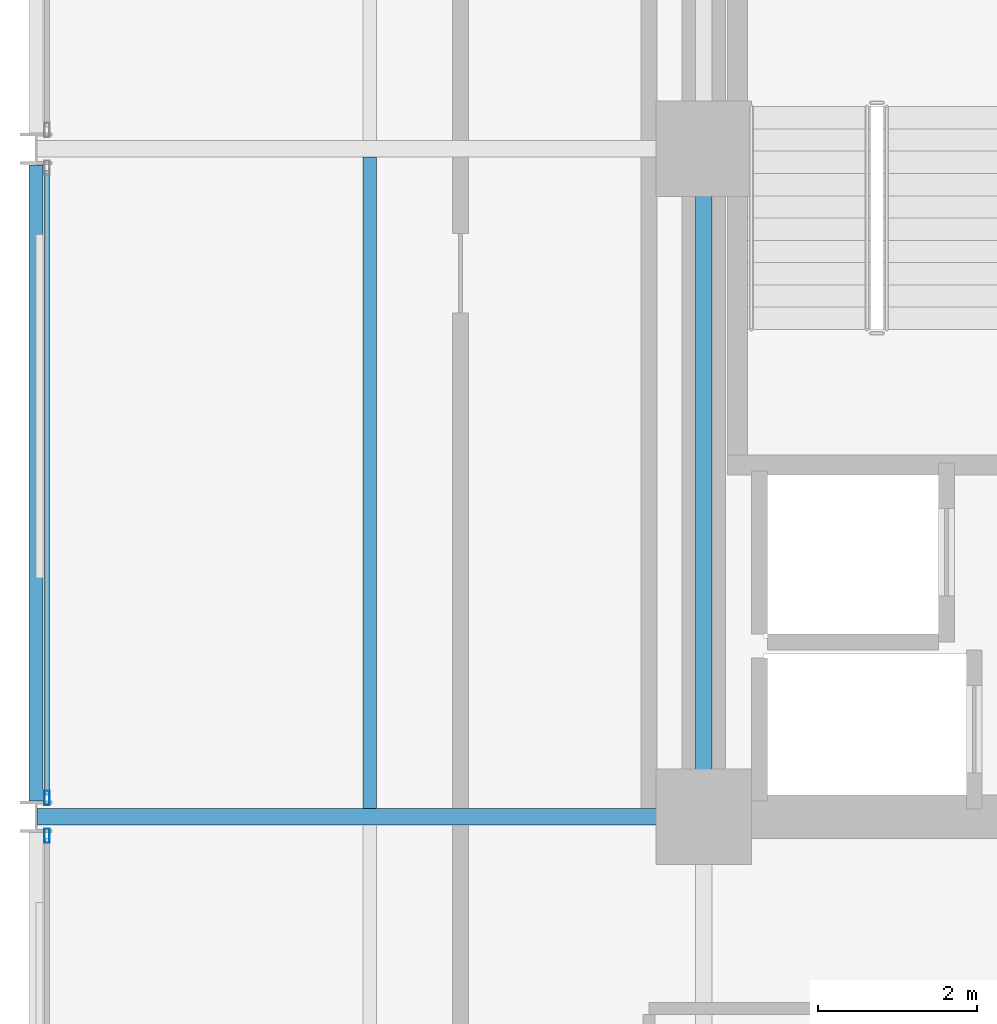
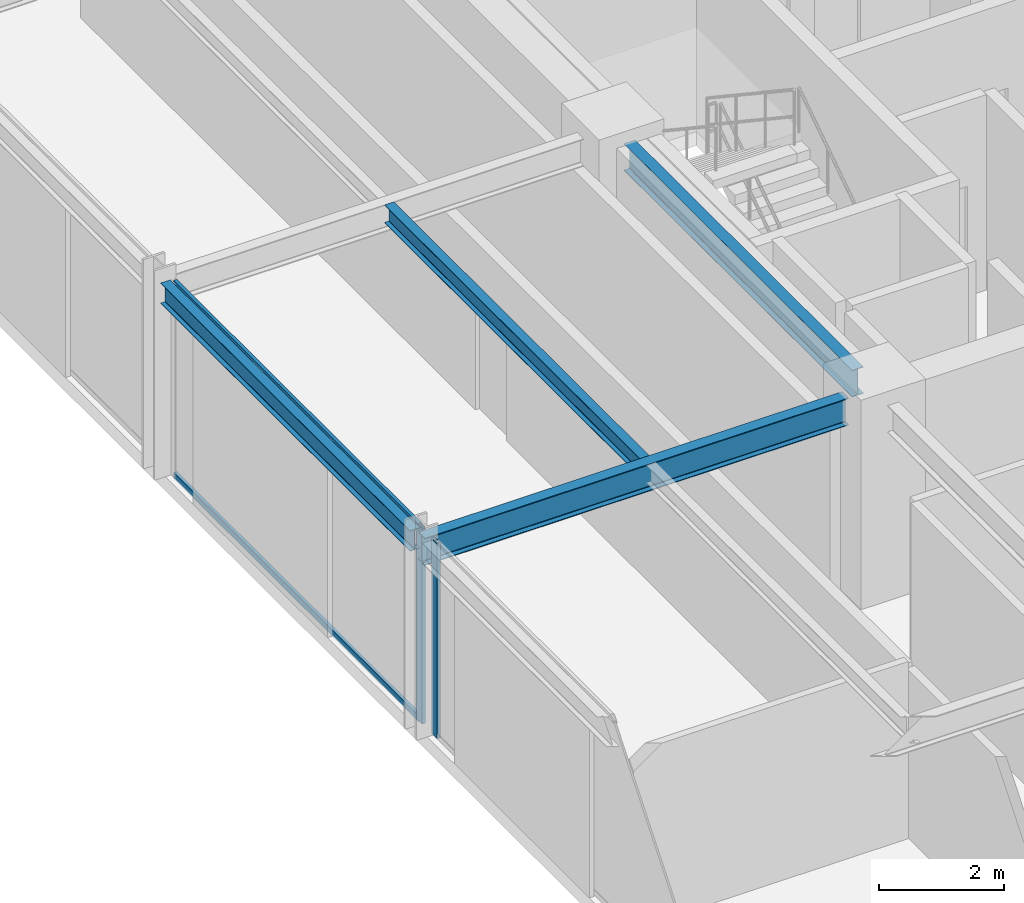
# One storey, part 10 of 29: 4 beams, 4 members, 2 elements without a shape of their own.
"""IFC4 building model written with IfcOpenShell, lengths in metres."""

from ifc_helpers import new_model, si_unit, direction, frame, origin, origin_2d, place, context, subcontext, project, spatial, hollow_rectangle, i_section, extrude, material, layer, layer_set, material_profile, profile_set, type_object, element, aggregate, save


model = new_model("IFC4")

# Units and contexts
model_context = context("Model", 3, precision=1e-05, world=origin(), true_north=direction((0.0, 1.0)))
body_context = subcontext(model_context, "Body", "Model", "MODEL_VIEW")
ifc_project = project(units=[si_unit("LENGTHUNIT", "METRE"), si_unit("AREAUNIT", "SQUARE_METRE"), si_unit("VOLUMEUNIT", "CUBIC_METRE"), si_unit("PLANEANGLEUNIT", "RADIAN"), si_unit("MASSUNIT", "GRAM", prefix="KILO")], contexts=[model_context])

# Site, building, storey
site_placement = place(None, origin())
site = spatial("IfcSite", under=ifc_project, at=site_placement, CompositionType="ELEMENT")
building_placement = place(site_placement, origin())
building = spatial("IfcBuilding", under=site, at=building_placement, Name="Nerrivon Quay Data Exchange", CompositionType="ELEMENT")
storey_placement = place(building_placement, frame((0.0, 0.0, 125.39990234375)))
storey = spatial("IfcBuildingStorey", under=building, at=storey_placement, Name="L29", CompositionType="ELEMENT", Elevation=125.39990234375)

# Beams
ifc_material_1 = material(Name="Steel Grade 350", Category="steel")
ifc_material_profile_1 = material_profile(ifc_material_1, i_section(OverallWidth=0.208984375, OverallDepth=0.532958984375, WebThickness=0.01025390625, FlangeThickness=0.015625, FilletRadius=0.013916015625, at=origin_2d()), Name="530UB92.4")
ifc_profile_set_1 = profile_set([ifc_material_profile_1], Name="Steel Grade 350")
beam_type_1 = type_object("IfcBeamType", Name="BM-G3-530UB92", PredefinedType="BEAM", material=ifc_profile_set_1)
beam_1_placement = place(storey_placement, frame((0.012451171875, 25.199951171875, 3.55859375), z_axis=(1.0, 0.0, 0.0), x_axis=(0.0, 1.0, 0.0)))
element("IfcBeam", 1, at=beam_1_placement, inside=storey, type_object=beam_type_1, Name="L29 EW Girder Y=25.2 (0.0..8.4)", PredefinedType="BEAM", context=body_context, shape_type="SweptSolid", body=[
    extrude(i_section(OverallWidth=0.208984375, OverallDepth=0.532958984375, WebThickness=0.01025390625, FlangeThickness=0.015625, FilletRadius=0.013916015625, at=origin_2d()), origin(), (0.0, 0.0, 1.0), 7.84765625),
])
ifc_material_profile_2 = material_profile(ifc_material_1, i_section(OverallWidth=0.208984375, OverallDepth=0.528076171875, WebThickness=0.009521484375, FlangeThickness=0.01318359375, FilletRadius=0.013916015625, at=origin_2d()), Name="530UB82.0")
ifc_profile_set_2 = profile_set([ifc_material_profile_2], Name="Steel Grade 350")
beam_type_2 = type_object("IfcBeamType", Name="BM-G4-530UB82", PredefinedType="BEAM", material=ifc_profile_set_2)
beam_2_placement = place(storey_placement, frame((8.39990234375, 25.739990234375, 3.56103515625), z_axis=(0.0, 1.0, 0.0), x_axis=(-1.0, 0.0, 0.0)))
element("IfcBeam", 2, at=beam_2_placement, inside=storey, type_object=beam_type_2, Name="L29 NS Girder X=8.4 (25.2..33.6)", PredefinedType="BEAM", context=body_context, shape_type="SweptSolid", body=[
    extrude(i_section(OverallWidth=0.208984375, OverallDepth=0.528076171875, WebThickness=0.009521484375, FlangeThickness=0.01318359375, FilletRadius=0.013916015625, at=origin_2d()), origin(), (0.0, 0.0, 1.0), 7.320068359375),
])
ifc_material_profile_3 = material_profile(ifc_material_1, i_section(OverallWidth=0.1708984375, OverallDepth=0.35595703125, WebThickness=0.00732421875, FlangeThickness=0.011474609375, FilletRadius=0.011474609375, at=origin_2d()), Name="360UB50.7")
ifc_profile_set_3 = profile_set([ifc_material_profile_3], Name="Steel Grade 350")
beam_type_3 = type_object("IfcBeamType", Name="BM-J4-360UB51", PredefinedType="JOIST", material=ifc_profile_set_3)
beam_3_placement = place(storey_placement, frame((4.199951171875, 25.304443359375, 3.647216796875), z_axis=(0.0, 1.0, 0.0), x_axis=(-1.0, 0.0, 0.0)))
element("IfcBeam", 3, at=beam_3_placement, inside=storey, type_object=beam_type_3, Name="L29 Secondary Joist X=4.2 (25.2..33.6)", PredefinedType="JOIST", context=body_context, shape_type="SweptSolid", body=[
    extrude(i_section(OverallWidth=0.1708984375, OverallDepth=0.35595703125, WebThickness=0.00732421875, FlangeThickness=0.011474609375, FilletRadius=0.011474609375, at=origin_2d()), origin(), (0.0, 0.0, 1.0), 8.191162109375),
])
ifc_material_profile_4 = material_profile(ifc_material_1, i_section(OverallWidth=0.177978515625, OverallDepth=0.403076171875, WebThickness=0.007568359375, FlangeThickness=0.010986328125, FilletRadius=0.011474609375, at=origin_2d()), Name="410UB53.7")
ifc_profile_set_4 = profile_set([ifc_material_profile_4], Name="Steel Grade 350")
beam_type_4 = type_object("IfcBeamType", Name="BM-SP2-410UB54", PredefinedType="SPANDREL", material=ifc_profile_set_4)
beam_4_placement = place(storey_placement, frame((0.0, 25.39990234375, 3.62353515625), z_axis=(0.0, 1.0, 0.0), x_axis=(-1.0, 0.0, 0.0)))
element("IfcBeam", 4, at=beam_4_placement, inside=storey, type_object=beam_type_4, Name="L29 NS Girder X=0.0 (25.2..33.6)", PredefinedType="SPANDREL", context=body_context, shape_type="SweptSolid", body=[
    extrude(i_section(OverallWidth=0.177978515625, OverallDepth=0.403076171875, WebThickness=0.007568359375, FlangeThickness=0.010986328125, FilletRadius=0.011474609375, at=origin_2d()), origin(), (0.0, 0.0, 1.0), 8.0),
])

# Curtain wall, member
ifc_material_2 = material(Name="Anodised aluminium 6063-T6", Category="aluminium")
ifc_layer = layer(ifc_material_2, 0.2099609375)
ifc_layer_set = layer_set([ifc_layer], Name="Anodised aluminium 6063-T6")
curtain_wall_type = type_object("IfcCurtainWallType", Name="CW-SYS-02", PredefinedType="NOTDEFINED", material=ifc_layer_set)
curtain_wall_1_placement = place(storey_placement, origin())
curtain_wall_1 = element("IfcCurtainWall", 5, at=curtain_wall_1_placement, inside=storey, type_object=curtain_wall_type, Name="L29 Unitised Curtain Wall 13", PredefinedType="NOTDEFINED")
ifc_material_profile_5 = material_profile(ifc_material_2, hollow_rectangle(XDim=0.06494140625, YDim=0.179931640625, WallThickness=0.00341796875, at=origin_2d()), Name="ALU-MULL-180x65")
ifc_profile_set_5 = profile_set([ifc_material_profile_5], Name="Anodised aluminium 6063-T6")
member_type_1 = type_object("IfcMemberType", Name="CWM-180x65", PredefinedType="MULLION", material=ifc_profile_set_5)
member_1_placement = place(storey_placement, frame((0.139892578125, 24.96240234375, 0.0), z_axis=(0.0, 0.0, 1.0), x_axis=(-1.0, 0.0, 0.0)))
member_1 = element("IfcMember", 6, at=member_1_placement, type_object=member_type_1, Name="CW02 mullion 2", PredefinedType="MULLION", context=body_context, shape_type="SweptSolid", body=[
    extrude(hollow_rectangle(XDim=0.06494140625, YDim=0.179931640625, WallThickness=0.00341796875, at=origin_2d()), origin(), (0.0, 0.0, 1.0), 3.8251953125),
])
aggregate(curtain_wall_1, [member_1])

# Curtain wall, members
curtain_wall_2_placement = place(storey_placement, origin())
curtain_wall_2 = element("IfcCurtainWall", 7, at=curtain_wall_2_placement, inside=storey, type_object=curtain_wall_type, Name="L29 Unitised Curtain Wall 14", PredefinedType="NOTDEFINED")
member_2_placement = place(storey_placement, frame((0.139892578125, 25.4375, 0.0), z_axis=(0.0, 0.0, 1.0), x_axis=(-1.0, 0.0, 0.0)))
member_2 = element("IfcMember", 8, at=member_2_placement, type_object=member_type_1, Name="CW02 mullion 1", PredefinedType="MULLION", context=body_context, shape_type="SweptSolid", body=[
    extrude(hollow_rectangle(XDim=0.06494140625, YDim=0.179931640625, WallThickness=0.00341796875, at=origin_2d()), origin(), (0.0, 0.0, 1.0), 3.8251953125),
])
ifc_material_profile_6 = material_profile(ifc_material_2, hollow_rectangle(XDim=0.06005859375, YDim=0.1201171875, WallThickness=0.003173828125, at=origin_2d()), Name="ALU-TRAN-120x60")
ifc_profile_set_6 = profile_set([ifc_material_profile_6], Name="Anodised aluminium 6063-T6")
member_type_2 = type_object("IfcMemberType", Name="CWT-120x60", PredefinedType="USERDEFINED", material=ifc_profile_set_6)
member_3_placement = place(storey_placement, frame((0.139892578125, 25.47509765625, 0.03271484375), z_axis=(0.0, 1.0, 0.0), x_axis=(-1.0, 0.0, 0.0)))
member_3 = element("IfcMember", 9, at=member_3_placement, type_object=member_type_2, Name="CW02 transom 1.1", ObjectType="TRANSOM", PredefinedType="USERDEFINED", context=body_context, shape_type="SweptSolid", body=[
    extrude(hollow_rectangle(XDim=0.06005859375, YDim=0.1201171875, WallThickness=0.003173828125, at=origin_2d()), origin(), (0.0, 0.0, 1.0), 7.849853515625),
])
member_4_placement = place(storey_placement, frame((0.139892578125, 25.47509765625, 3.79248046875), z_axis=(0.0, 1.0, 0.0), x_axis=(-1.0, 0.0, 0.0)))
member_4 = element("IfcMember", 10, at=member_4_placement, type_object=member_type_2, Name="CW02 transom 1.2", ObjectType="TRANSOM", PredefinedType="USERDEFINED", context=body_context, shape_type="SweptSolid", body=[
    extrude(hollow_rectangle(XDim=0.06005859375, YDim=0.1201171875, WallThickness=0.003173828125, at=origin_2d()), origin(), (0.0, 0.0, 1.0), 7.849853515625),
])
aggregate(curtain_wall_2, [member_2, member_3, member_4])

save(model, "model.ifc")
